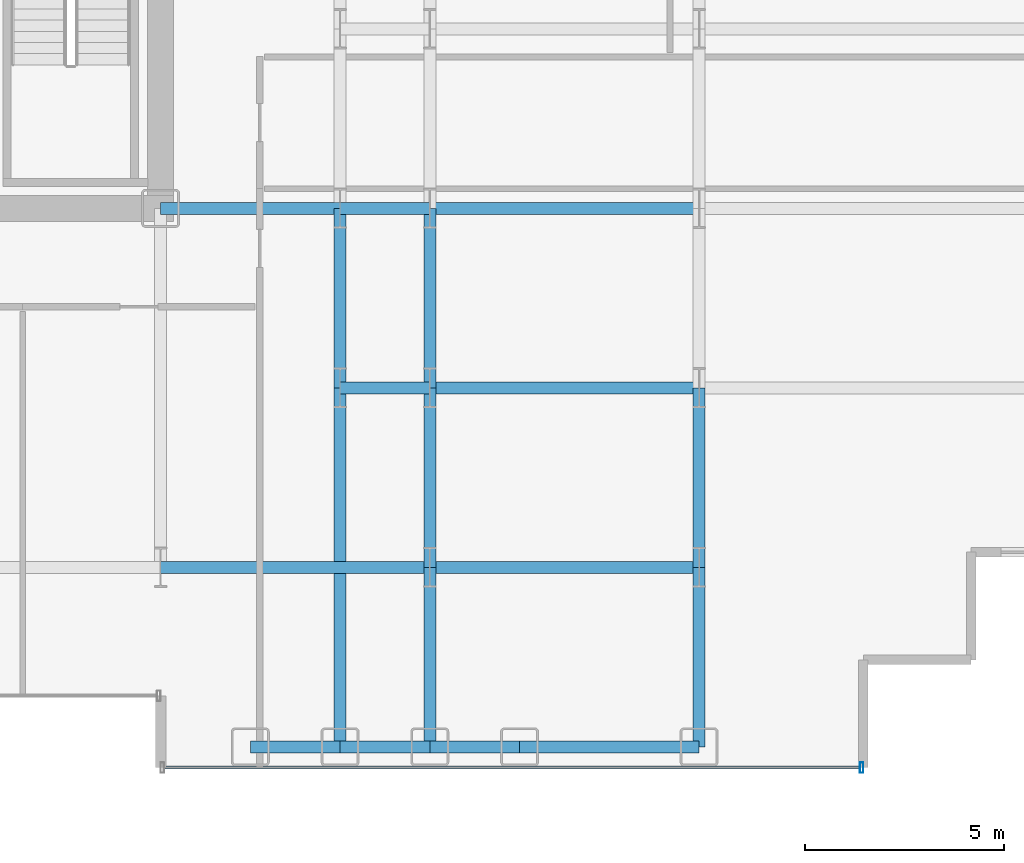
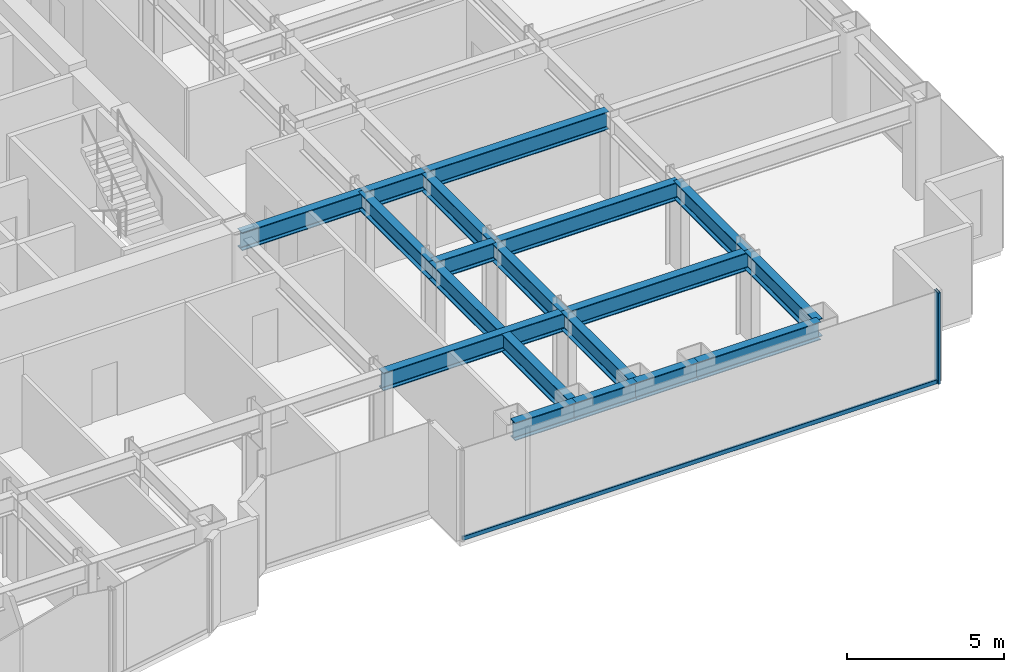
# One storey, part 7 of 26: 18 beams, 2 members, 1 element without a shape of its own.
"""IFC4 building model written with IfcOpenShell, lengths in metres."""

from ifc_helpers import new_model, si_unit, direction, frame, origin, origin_2d, place, context, subcontext, project, spatial, hollow_rectangle, i_section, extrude, source, transform, mapped, material, layer, layer_set, material_profile, profile_set, type_object, element, aggregate, save


model = new_model("IFC4")

# Units and contexts
model_context = context("Model", 3, precision=1e-05, world=origin(), true_north=direction((0.0, 1.0)))
body_context = subcontext(model_context, "Body", "Model", "MODEL_VIEW")
ifc_project = project(units=[si_unit("LENGTHUNIT", "METRE"), si_unit("AREAUNIT", "SQUARE_METRE"), si_unit("VOLUMEUNIT", "CUBIC_METRE"), si_unit("PLANEANGLEUNIT", "RADIAN"), si_unit("MASSUNIT", "GRAM", prefix="KILO")], contexts=[model_context])

# Site, building, storey
site_placement = place(None, origin())
site = spatial("IfcSite", under=ifc_project, at=site_placement, CompositionType="ELEMENT")
building_placement = place(site_placement, origin())
building = spatial("IfcBuilding", under=site, at=building_placement, Name="Nefas-Gora Pilgrimage Tower", CompositionType="ELEMENT")
storey_placement = place(building_placement, frame((0.0, 0.0, 63.39990234375)))
storey = spatial("IfcBuildingStorey", under=building, at=storey_placement, Name="L14", CompositionType="ELEMENT", Elevation=63.39990234375)

# Beams
ifc_material_1 = material(Name="Steel S355", Category="steel")
ifc_material_profile_1 = material_profile(ifc_material_1, i_section(OverallWidth=0.300048828125, OverallDepth=0.699951171875, WebThickness=0.01708984375, FlangeThickness=0.031982421875, FilletRadius=0.027099609375, at=origin_2d()), Name="HEB 700")
ifc_profile_set_1 = profile_set([ifc_material_profile_1], Name="Steel S355")
beam_type_1 = type_object("IfcBeamType", Name="BM-SPN-HEB600", PredefinedType="SPANDREL", material=ifc_profile_set_1)
shared_shape_1 = source(origin(), body_context, "Body", "SweptSolid", [
    extrude(i_section(OverallWidth=0.300048828125, OverallDepth=0.699951171875, WebThickness=0.01708984375, FlangeThickness=0.031982421875, FilletRadius=0.027099609375, at=origin_2d()), origin(), (0.0, 0.0, 1.0), 4.5),
])
beam_1_placement = place(storey_placement, frame((20.25, -22.5, 3.2001953125), z_axis=(1.0, 0.0, 0.0), x_axis=(0.0, 1.0, 0.0)))
element("IfcBeam", 1, at=beam_1_placement, inside=storey, type_object=beam_type_1, Name="L14 SP-01 beam", PredefinedType="SPANDREL", context=body_context, shape_type="MappedRepresentation", body=[
    mapped(shared_shape_1, transform((0.0, 0.0, 0.0), x_axis=(1.0, 0.0, 0.0), y_axis=(0.0, 1.0, 0.0), z_axis=(0.0, 0.0, 1.0), scale=1.0)),
])
ifc_material_profile_2 = material_profile(ifc_material_1, i_section(OverallWidth=0.300048828125, OverallDepth=0.699951171875, WebThickness=0.01708984375, FlangeThickness=0.031982421875, FilletRadius=0.027099609375, at=origin_2d()), Name="HEB 700")
ifc_profile_set_2 = profile_set([ifc_material_profile_2], Name="Steel S355")
beam_type_2 = type_object("IfcBeamType", Name="BM-GIR-HEB700", PredefinedType="BEAM", material=ifc_profile_set_2)
shared_shape_2 = source(origin(), body_context, "Body", "SweptSolid", [
    extrude(i_section(OverallWidth=0.300048828125, OverallDepth=0.699951171875, WebThickness=0.01708984375, FlangeThickness=0.031982421875, FilletRadius=0.027099609375, at=origin_2d()), origin(), (0.0, 0.0, 1.0), 9.0),
])
beam_2_placement = place(storey_placement, frame((15.75, -22.5, 3.2001953125), z_axis=(0.0, 1.0, 0.0), x_axis=(-1.0, 0.0, 0.0)))
element("IfcBeam", 2, at=beam_2_placement, inside=storey, type_object=beam_type_2, Name="L14 G-02 beam", PredefinedType="BEAM", context=body_context, shape_type="MappedRepresentation", body=[
    mapped(shared_shape_2, transform((0.0, 0.0, 0.0), x_axis=(1.0, 0.0, 0.0), y_axis=(0.0, 1.0, 0.0), z_axis=(0.0, 0.0, 1.0), scale=1.0)),
])
shared_shape_3 = source(origin(), body_context, "Body", "SweptSolid", [
    extrude(i_section(OverallWidth=0.300048828125, OverallDepth=0.699951171875, WebThickness=0.01708984375, FlangeThickness=0.031982421875, FilletRadius=0.027099609375, at=origin_2d()), origin(), (0.0, 0.0, 1.0), 4.5),
])
for number, where, z_axis, x_axis, name in (
    (3, (11.25, -9.0, 3.2001953125), (1.0, 0.0, 0.0), (0.0, 1.0, 0.0), "L14 G-02 beam"),
    (4, (15.75, -13.5, 3.2001953125), (0.0, 1.0, 0.0), (-1.0, 0.0, 0.0), "L14 G-02 beam"),
    (5, (18.0, -22.5, 3.2001953125), (0.0, 1.0, 0.0), (-1.0, 0.0, 0.0), "L14 G-02 beam"),
    (6, (18.0, -18.0, 3.2001953125), (0.0, 1.0, 0.0), (-1.0, 0.0, 0.0), "L14 G-02 beam"),
    (7, (18.0, -13.5, 3.2001953125), (0.0, 1.0, 0.0), (-1.0, 0.0, 0.0), "L14 G-02 beam"),
    (8, (24.75, -22.5, 3.2001953125), (0.0, 1.0, 0.0), (-1.0, 0.0, 0.0), "L14 G-02 beam"),
    (9, (24.75, -18.0, 3.2001953125), (0.0, 1.0, 0.0), (-1.0, 0.0, 0.0), "L14 G-02 beam"),
):
    element("IfcBeam", number, at=place(storey_placement, frame(where, z_axis=z_axis, x_axis=x_axis)), inside=storey, type_object=beam_type_2, Name=name, PredefinedType="BEAM", context=body_context, shape_type="MappedRepresentation", body=[
        mapped(shared_shape_3, transform((0.0, 0.0, 0.0), x_axis=(1.0, 0.0, 0.0), y_axis=(0.0, 1.0, 0.0), z_axis=(0.0, 0.0, 1.0), scale=1.0)),
    ])
shared_shape_4 = source(origin(), body_context, "Body", "SweptSolid", [
    extrude(i_section(OverallWidth=0.300048828125, OverallDepth=0.699951171875, WebThickness=0.01708984375, FlangeThickness=0.031982421875, FilletRadius=0.027099609375, at=origin_2d()), origin(), (0.0, 0.0, 1.0), 6.75),
])
for number, where, z_axis, x_axis, name in (
    (10, (11.25, -18.0, 3.2001953125), (1.0, 0.0, 0.0), (0.0, 1.0, 0.0), "L14 G-02 beam"),
    (11, (18.0, -18.0, 3.2001953125), (1.0, 0.0, 0.0), (0.0, 1.0, 0.0), "L14 G-02 beam"),
    (12, (18.0, -13.5, 3.2001953125), (1.0, 0.0, 0.0), (0.0, 1.0, 0.0), "L14 G-02 beam"),
    (13, (18.0, -9.0, 3.2001953125), (1.0, 0.0, 0.0), (0.0, 1.0, 0.0), "L14 G-02 beam"),
):
    element("IfcBeam", number, at=place(storey_placement, frame(where, z_axis=z_axis, x_axis=x_axis)), inside=storey, type_object=beam_type_2, Name=name, PredefinedType="BEAM", context=body_context, shape_type="MappedRepresentation", body=[
        mapped(shared_shape_4, transform((0.0, 0.0, 0.0), x_axis=(1.0, 0.0, 0.0), y_axis=(0.0, 1.0, 0.0), z_axis=(0.0, 0.0, 1.0), scale=1.0)),
    ])
shared_shape_5 = source(origin(), body_context, "Body", "SweptSolid", [
    extrude(i_section(OverallWidth=0.300048828125, OverallDepth=0.699951171875, WebThickness=0.01708984375, FlangeThickness=0.031982421875, FilletRadius=0.027099609375, at=origin_2d()), origin(), (0.0, 0.0, 1.0), 2.25),
])
for number, where, z_axis, x_axis, name in (
    (14, (13.5, -22.5, 3.2001953125), (1.0, 0.0, 0.0), (0.0, 1.0, 0.0), "L14 SP-01 beam"),
    (15, (15.75, -22.5, 3.2001953125), (1.0, 0.0, 0.0), (0.0, 1.0, 0.0), "L14 SP-01 beam"),
    (16, (18.0, -22.5, 3.2001953125), (1.0, 0.0, 0.0), (0.0, 1.0, 0.0), "L14 SP-01 beam"),
):
    element("IfcBeam", number, at=place(storey_placement, frame(where, z_axis=z_axis, x_axis=x_axis)), inside=storey, type_object=beam_type_1, Name=name, PredefinedType="SPANDREL", context=body_context, shape_type="MappedRepresentation", body=[
        mapped(shared_shape_5, transform((0.0, 0.0, 0.0), x_axis=(1.0, 0.0, 0.0), y_axis=(0.0, 1.0, 0.0), z_axis=(0.0, 0.0, 1.0), scale=1.0)),
    ])
shared_shape_6 = source(origin(), body_context, "Body", "SweptSolid", [
    extrude(i_section(OverallWidth=0.300048828125, OverallDepth=0.699951171875, WebThickness=0.01708984375, FlangeThickness=0.031982421875, FilletRadius=0.027099609375, at=origin_2d()), origin(), (0.0, 0.0, 1.0), 2.25),
])
for number, where, z_axis, x_axis, name in (
    (17, (15.75, -13.5, 3.2001953125), (1.0, 0.0, 0.0), (0.0, 1.0, 0.0), "L14 G-02 beam"),
    (18, (15.75, -9.0, 3.2001953125), (1.0, 0.0, 0.0), (0.0, 1.0, 0.0), "L14 G-02 beam"),
):
    element("IfcBeam", number, at=place(storey_placement, frame(where, z_axis=z_axis, x_axis=x_axis)), inside=storey, type_object=beam_type_2, Name=name, PredefinedType="BEAM", context=body_context, shape_type="MappedRepresentation", body=[
        mapped(shared_shape_6, transform((0.0, 0.0, 0.0), x_axis=(1.0, 0.0, 0.0), y_axis=(0.0, 1.0, 0.0), z_axis=(0.0, 0.0, 1.0), scale=1.0)),
    ])

# Curtain wall, members
ifc_material_2 = material(Name="Dark ceramic-fritted solar-control aluminium-glass curtain wall", Category="aluminium")
ifc_layer = layer(ifc_material_2, 0.219970703125)
ifc_layer_set = layer_set([ifc_layer], Name="Dark ceramic-fritted solar-control aluminium-glass curtain wall")
curtain_wall_type = type_object("IfcCurtainWallType", Name="CW-SYS-2", PredefinedType="NOTDEFINED", material=ifc_layer_set)
curtain_wall_placement = place(storey_placement, origin())
curtain_wall = element("IfcCurtainWall", 19, at=curtain_wall_placement, inside=storey, type_object=curtain_wall_type, Name="L14 Unitised Curtain Wall CW2", PredefinedType="NOTDEFINED")
ifc_material_3 = material(Name="Anodised architectural aluminium", Category="aluminium")
ifc_material_profile_3 = material_profile(ifc_material_3, hollow_rectangle(XDim=0.090087890625, YDim=0.260009765625, WallThickness=0.006103515625, InnerFilletRadius=0.006103515625, OuterFilletRadius=0.011962890625, at=origin_2d()), Name="ALU MULLION 90x260")
ifc_profile_set_3 = profile_set([ifc_material_profile_3], Name="Anodised architectural aluminium")
member_type_1 = type_object("IfcMemberType", Name="CWM-MUL-2", PredefinedType="MULLION", material=ifc_profile_set_3)
shared_shape_7 = source(origin(), body_context, "Body", "SweptSolid", [
    extrude(hollow_rectangle(XDim=0.090087890625, YDim=0.260009765625, WallThickness=0.006103515625, InnerFilletRadius=0.006103515625, OuterFilletRadius=0.011962890625, at=origin_2d()), origin(), (0.0, 0.0, 1.0), 3.550048828125),
])
member_1_placement = place(storey_placement, frame((28.824951171875, -23.02001953125, 0.0), z_axis=(0.0, 0.0, 1.0), x_axis=(1.0, 0.0, 0.0)))
member_1 = element("IfcMember", 20, at=member_1_placement, type_object=member_type_1, Name="CW2 Mullion 2", PredefinedType="MULLION", context=body_context, shape_type="MappedRepresentation", body=[
    mapped(shared_shape_7, transform((0.0, 0.0, 0.0), x_axis=(1.0, 0.0, 0.0), y_axis=(0.0, 1.0, 0.0), z_axis=(0.0, 0.0, 1.0), scale=1.0)),
])
ifc_material_profile_4 = material_profile(ifc_material_3, hollow_rectangle(XDim=0.080078125, YDim=0.159912109375, WallThickness=0.00439453125, InnerFilletRadius=0.00439453125, OuterFilletRadius=0.009033203125, at=origin_2d()), Name="ALU TRANSOM 80x160")
ifc_profile_set_4 = profile_set([ifc_material_profile_4], Name="Anodised architectural aluminium")
member_type_2 = type_object("IfcMemberType", Name="CWM-TRN-2", PredefinedType="USERDEFINED", material=ifc_profile_set_4)
shared_shape_8 = source(origin(), body_context, "Body", "SweptSolid", [
    extrude(hollow_rectangle(XDim=0.080078125, YDim=0.159912109375, WallThickness=0.00439453125, InnerFilletRadius=0.00439453125, OuterFilletRadius=0.009033203125, at=origin_2d()), origin(), (0.0, 0.0, 1.0), 17.43994140625),
])
member_2_placement = place(storey_placement, frame((11.340087890625, -23.02001953125, 0.050048828125), z_axis=(1.0, 0.0, 0.0), x_axis=(0.0, 1.0, 0.0)))
member_2 = element("IfcMember", 21, at=member_2_placement, type_object=member_type_2, Name="CW2 Spandrel Transom", ObjectType="TRANSOM", PredefinedType="USERDEFINED", context=body_context, shape_type="MappedRepresentation", body=[
    mapped(shared_shape_8, transform((0.0, 0.0, 0.0), x_axis=(1.0, 0.0, 0.0), y_axis=(0.0, 1.0, 0.0), z_axis=(0.0, 0.0, 1.0), scale=1.0)),
])
aggregate(curtain_wall, [member_1, member_2])

save(model, "model.ifc")
